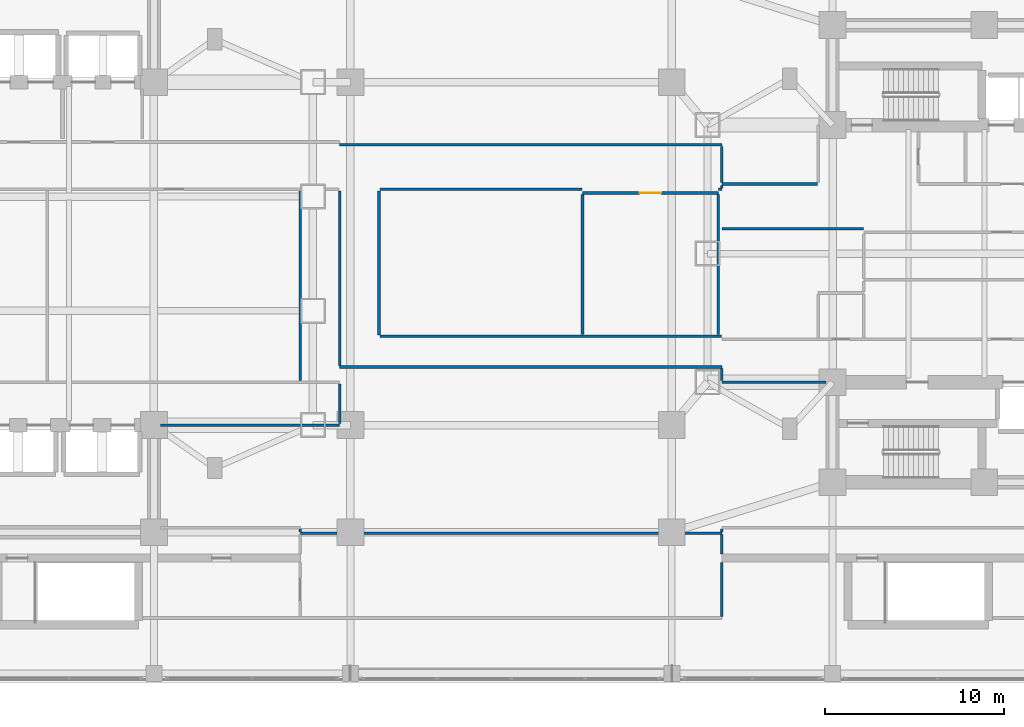
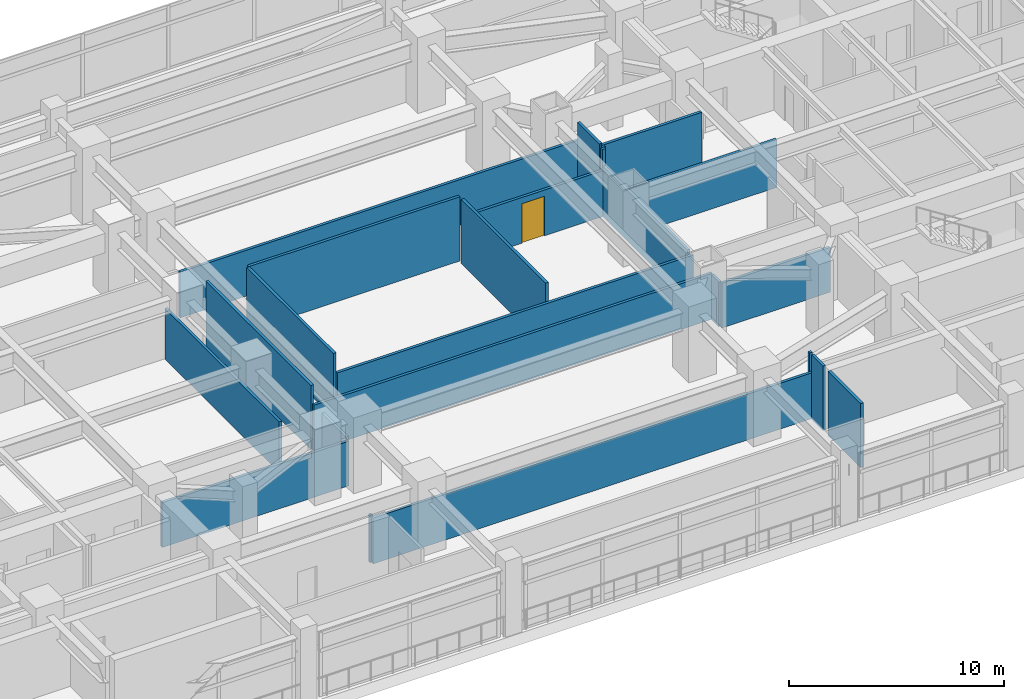
# One storey, part 16 of 27: 24 walls, 1 door, 1 opening.
"""IFC4 building model written with IfcOpenShell, lengths in metres."""

import ifcopenshell
import ifcopenshell.guid

model = None  # the IFC model being written
_history = None  # IfcOwnerHistory: only IFC2X3 demands one
_inside = {}  # id of a spatial element -> (the spatial element, [elements in it])
_under = {}  # id of a project, library or spatial element -> (it, [spatial elements below it])
_declared = {}  # id of a project -> (the project, [libraries it declares])
_typed = {}  # id of a type object -> (the type object, [elements of that type])
_made_of = {}  # id of a material, layer set ... -> (it, [elements and type objects made of it])


def new_model(schema):
    """Start an empty IFC model of exactly this schema.

    Asked for "IFC4X3", IfcOpenShell would pick the latest addendum, in which some entities
    have other attributes; the version numbers below select the first issue.
    IFC2X3 requires an IfcOwnerHistory on every rooted entity: one is made here for all.
    """
    global model, _history
    if schema == "IFC4X3":
        model = ifcopenshell.file(schema_version=(4, 3, 0, 0))
    else:
        model = ifcopenshell.file(schema=schema)
    _inside.clear()
    _under.clear()
    _declared.clear()
    _typed.clear()
    _made_of.clear()
    _history = None
    if model.schema == "IFC2X3":
        org = make("IfcOrganization", Name="unknown")
        user = make(
            "IfcPersonAndOrganization",
            ThePerson=make("IfcPerson", FamilyName="unknown"),
            TheOrganization=org,
        )
        app = make(
            "IfcApplication",
            ApplicationDeveloper=org,
            Version="unknown",
            ApplicationFullName="unknown",
            ApplicationIdentifier="unknown",
        )
        _history = make(
            "IfcOwnerHistory",
            OwningUser=user,
            OwningApplication=app,
            ChangeAction="ADDED",
            CreationDate=0,
        )
    return model


def make(cls, **values):
    """One entity of the class cls with the attributes given. An attribute that is None is left unset."""
    return model.create_entity(
        cls, **{name: value for name, value in values.items() if value is not None}
    )


def rooted(cls, **values):
    """An entity with a GlobalId (a new one), such as an element, a storey or a relation."""
    return make(cls, GlobalId=ifcopenshell.guid.new(), OwnerHistory=_history, **values)


def si_unit(unit_type, name, prefix=None):
    """IfcSIUnit, for example si_unit("LENGTHUNIT", "METRE", prefix="MILLI")."""
    return make("IfcSIUnit", UnitType=unit_type, Prefix=prefix, Name=name)


def assignment(units):
    """IfcUnitAssignment: the units of a project."""
    return None if units is None else make("IfcUnitAssignment", Units=units)


def point(xyz):
    """IfcCartesianPoint."""
    return None if xyz is None else make("IfcCartesianPoint", Coordinates=xyz)


def direction(xyz):
    """IfcDirection."""
    return None if xyz is None else make("IfcDirection", DirectionRatios=xyz)


def frame(location, z_axis=None, x_axis=None):
    """IfcAxis2Placement3D, a coordinate frame: its origin and axes. An axis left out is left unset."""
    return make(
        "IfcAxis2Placement3D",
        Location=point(location),
        Axis=direction(z_axis),
        RefDirection=direction(x_axis),
    )


def frame_2d(location, x_axis=None):
    """IfcAxis2Placement2D, a coordinate frame in the plane: its origin and x axis."""
    return make(
        "IfcAxis2Placement2D", Location=point(location), RefDirection=direction(x_axis)
    )


def origin():
    """The frame at (0, 0, 0) with its axes left unset."""
    return frame((0.0, 0.0, 0.0))


def place(relative_to, where):
    """IfcLocalPlacement: puts the frame where relative to a parent placement (None: the world)."""
    return make(
        "IfcLocalPlacement", PlacementRelTo=relative_to, RelativePlacement=where
    )


def context(
    kind, dimensions, precision=None, world=None, true_north=None, identifier=None
):
    """IfcGeometricRepresentationContext, for example the 3D "Model" context."""
    return make(
        "IfcGeometricRepresentationContext",
        ContextIdentifier=identifier,
        ContextType=kind,
        CoordinateSpaceDimension=dimensions,
        Precision=precision,
        WorldCoordinateSystem=world,
        TrueNorth=true_north,
    )


def subcontext(parent, identifier, kind, view, scale=None):
    """IfcGeometricRepresentationSubContext, for example "Body" below "Model"."""
    return make(
        "IfcGeometricRepresentationSubContext",
        ContextIdentifier=identifier,
        ContextType=kind,
        ParentContext=parent,
        TargetScale=scale,
        TargetView=view,
    )


def project(units=None, contexts=None):
    """IfcProject with its units and contexts."""
    return rooted(
        "IfcProject",
        Name="project",
        RepresentationContexts=contexts,
        UnitsInContext=assignment(units),
    )


def spatial(cls, under=None, at=None, **own):
    """A site, building, storey or space (cls), placed at a placement, below another one or the project."""
    s = rooted(cls, ObjectPlacement=at, **own)
    if under is not None:
        _under.setdefault(under.id(), (under, []))[1].append(s)
    return s


def profile(cls, at=None, kind="AREA", **sizes):
    """A parametric profile (cls). Its sizes go by their IFC names, for example OverallWidth=200.0."""
    return make(cls, ProfileType=kind, Position=at, **sizes)


def rectangle(**sizes):
    """IfcRectangleProfileDef."""
    return profile("IfcRectangleProfileDef", **sizes)


def extrude(swept, where, along, depth):
    """IfcExtrudedAreaSolid: the profile swept, set in the frame where, extruded along a direction by depth."""
    return make(
        "IfcExtrudedAreaSolid",
        SweptArea=swept,
        Position=where,
        ExtrudedDirection=direction(along),
        Depth=depth,
    )


def shape(context_of_items, identifier, shape_type, items):
    """IfcShapeRepresentation: the items that make up one representation, for example the "Body"."""
    return make(
        "IfcShapeRepresentation",
        ContextOfItems=context_of_items,
        RepresentationIdentifier=identifier,
        RepresentationType=shape_type,
        Items=items,
    )


def material(Name=None, Category=None):
    """IfcMaterial."""
    return make("IfcMaterial", Name=Name, Category=Category)


def layer(
    of_material, thickness, ventilated=None, Name=None, Category=None, Priority=None
):
    """IfcMaterialLayer: one layer of a wall or slab, of a material (None: an air gap)."""
    return make(
        "IfcMaterialLayer",
        Material=of_material,
        LayerThickness=thickness,
        IsVentilated=ventilated,
        Name=Name,
        Category=Category,
        Priority=Priority,
    )


def layer_set(layers, Name=None):
    """IfcMaterialLayerSet."""
    return make("IfcMaterialLayerSet", MaterialLayers=layers, LayerSetName=Name)


def made_of(thing, what):
    """Note that an element or type object is made of a material, layer set ...; save() writes the relation."""
    if what is not None:
        _made_of.setdefault(what.id(), (what, []))[1].append(thing)
    return thing


def type_object(cls, material=None, **own):
    """A type object (cls), such as IfcWallType, which elements share."""
    return made_of(rooted(cls, **own), material)


def element(
    cls,
    number,
    at=None,
    inside=None,
    cuts=None,
    type_object=None,
    material=None,
    context=None,
    identifier="Body",
    shape_type=None,
    held_by="IfcProductDefinitionShape",
    body=None,
    shapes=None,
    **own,
):
    """One element of the class cls, such as IfcWall. Its Tag is "e" and its number.

    at: its placement. inside: the storey or other place that contains it. cuts: it is an
    opening in that element (IfcRelVoidsElement). A single representation is given by context,
    identifier, shape_type and body (its items); several are given by shapes. held_by: the class
    of the entity that holds the representations. save() writes the other relations.
    """
    e = rooted(cls, Tag="e%d" % number, ObjectPlacement=at, **own)
    if body is not None:
        shapes = [shape(context, identifier, shape_type, body)]
    if shapes is not None:
        e.Representation = make(held_by, Representations=shapes)
    if inside is not None:
        _inside.setdefault(inside.id(), (inside, []))[1].append(e)
    if cuts is not None:
        rooted(
            "IfcRelVoidsElement", RelatingBuildingElement=cuts, RelatedOpeningElement=e
        )
    if type_object is not None:
        _typed.setdefault(type_object.id(), (type_object, []))[1].append(e)
    return made_of(e, material)


def fill(opening, filler):
    """IfcRelFillsElement: the door or window that sits in an opening."""
    return rooted(
        "IfcRelFillsElement",
        RelatingOpeningElement=opening,
        RelatedBuildingElement=filler,
    )


def aggregate(whole, parts):
    """IfcRelAggregates: a whole, such as a stair, and the parts it consists of."""
    return rooted("IfcRelAggregates", RelatingObject=whole, RelatedObjects=parts)


def save(model, path):
    """Write the relations noted so far, then the file.

    IfcRelAggregates (storeys below a building ...), IfcRelContainedInSpatialStructure (elements
    in a storey), IfcRelDefinesByType, IfcRelAssociatesMaterial and IfcRelDeclares: one each for
    every whole, place, type object, material and project.
    """
    for whole, parts in _under.values():
        aggregate(whole, parts)
    for where, things in _inside.values():
        rooted(
            "IfcRelContainedInSpatialStructure",
            RelatedElements=things,
            RelatingStructure=where,
        )
    for kind, things in _typed.values():
        rooted("IfcRelDefinesByType", RelatedObjects=things, RelatingType=kind)
    for what, things in _made_of.values():
        rooted("IfcRelAssociatesMaterial", RelatedObjects=things, RelatingMaterial=what)
    for by, libraries in _declared.values():
        rooted("IfcRelDeclares", RelatingContext=by, RelatedDefinitions=libraries)
    model.write(path)


model = new_model("IFC4")

# Units and contexts
model_context = context("Model", 3, precision=1e-05, world=origin(), true_north=direction((0.0, 1.0)))
body_context = subcontext(model_context, "Body", "Model", "MODEL_VIEW")
ifc_project = project(units=[si_unit("LENGTHUNIT", "METRE"), si_unit("AREAUNIT", "SQUARE_METRE"), si_unit("VOLUMEUNIT", "CUBIC_METRE"), si_unit("PLANEANGLEUNIT", "RADIAN"), si_unit("MASSUNIT", "GRAM", prefix="KILO")], contexts=[model_context])

# Site, building, storey
site_placement = place(None, origin())
site = spatial("IfcSite", under=ifc_project, at=site_placement, CompositionType="ELEMENT")
building_placement = place(site_placement, origin())
building = spatial("IfcBuilding", under=site, at=building_placement, Name="Mirazonda Arch Towers", CompositionType="ELEMENT")
storey_placement = place(building_placement, frame((0.0, 0.0, 18.10009765625)))
storey = spatial("IfcBuildingStorey", under=building, at=storey_placement, Name="L04", CompositionType="ELEMENT", Elevation=18.10009765625)

# Walls
ifc_material_1 = material(Name="Fire-Rated Gypsum Stud Partition")
ifc_layer = layer(ifc_material_1, 0.14990234375, Name="WALL-PART-CORR-150")
ifc_layer_set = layer_set([ifc_layer], Name="Fire-Rated Gypsum Stud Partition")
wall_type = type_object("IfcWallType", Name="WALL-PART-CORR-150", PredefinedType="PARTITIONING", material=ifc_layer_set)
wall_1_placement = place(storey_placement, frame((38.199951171875, 12.35009765625, 0.0), z_axis=(0.0, 0.0, 1.0), x_axis=(1.0, 0.0, 0.0)))
element("IfcWall", 1, at=wall_1_placement, inside=storey, type_object=wall_type, Name="L04 Interior Partition 009", PredefinedType="PARTITIONING", context=body_context, shape_type="SweptSolid", body=[
    extrude(rectangle(XDim=23.60009765625, YDim=0.14990234375, at=frame_2d((11.800048828125, 0.0))), origin(), (0.0, 0.0, 1.0), 2.601806640625),
])
wall_2_placement = place(storey_placement, frame((30.3701171875, 18.39990234375, 0.0), z_axis=(0.0, 0.0, 1.0), x_axis=(1.0, 0.0, 0.0)))
element("IfcWall", 2, at=wall_2_placement, inside=storey, type_object=wall_type, Name="L04 Interior Partition 019", PredefinedType="PARTITIONING", context=body_context, shape_type="SweptSolid", body=[
    extrude(rectangle(XDim=10.02978515625, YDim=0.14990234375, at=frame_2d((5.014892578125, 0.0))), origin(), (0.0, 0.0, 1.0), 2.5419921875),
])
wall_3_placement = place(storey_placement, frame((61.800048828125, 20.800048828125, 0.0), z_axis=(0.0, 0.0, 1.0), x_axis=(1.0, 0.0, 0.0)))
element("IfcWall", 3, at=wall_3_placement, inside=storey, type_object=wall_type, Name="L04 Interior Partition 022", PredefinedType="PARTITIONING", context=body_context, shape_type="SweptSolid", body=[
    extrude(rectangle(XDim=5.829833984375, YDim=0.14990234375, at=frame_2d((2.9150390625, 0.0))), origin(), (0.0, 0.0, 1.0), 2.5419921875),
])
wall_4_placement = place(storey_placement, frame((40.39990234375, 21.64990234375, 0.0), z_axis=(0.0, 0.0, 1.0), x_axis=(1.0, 0.0, 0.0)))
element("IfcWall", 4, at=wall_4_placement, inside=storey, type_object=wall_type, Name="L04 Interior Partition 024", PredefinedType="PARTITIONING", context=body_context, shape_type="SweptSolid", body=[
    extrude(rectangle(XDim=21.400146484375, YDim=0.14990234375, at=frame_2d((10.7001953125, 0.0))), origin(), (0.0, 0.0, 1.0), 2.601806640625),
])
wall_5_placement = place(storey_placement, frame((42.64990234375, 23.375, 0.0), z_axis=(0.0, 0.0, 1.0), x_axis=(1.0, 0.0, 0.0)))
element("IfcWall", 5, at=wall_5_placement, inside=storey, type_object=wall_type, Name="L04 Interior Partition 026", PredefinedType="PARTITIONING", context=body_context, shape_type="SweptSolid", body=[
    extrude(rectangle(XDim=19.130126953125, YDim=0.14990234375, at=frame_2d((9.56494140625, 0.0))), origin(), (0.0, 0.0, 1.0), 2.601806640625),
])
wall_6_placement = place(storey_placement, frame((61.800048828125, 29.39990234375, 0.0), z_axis=(0.0, 0.0, 1.0), x_axis=(1.0, 0.0, 0.0)))
element("IfcWall", 6, at=wall_6_placement, inside=storey, type_object=wall_type, Name="L04 Interior Partition 031", PredefinedType="PARTITIONING", context=body_context, shape_type="SweptSolid", body=[
    extrude(rectangle(XDim=7.929931640625, YDim=0.14990234375, at=frame_2d((3.96484375, 0.0))), origin(), (0.0, 0.0, 1.0), 2.71484375),
])

# Wall, opening, door
wall_7_placement = place(storey_placement, frame((54.0, 31.39990234375, 0.0), z_axis=(0.0, 0.0, 1.0), x_axis=(1.0, 0.0, 0.0)))
wall_7 = element("IfcWall", 7, at=wall_7_placement, inside=storey, type_object=wall_type, Name="L04 Interior Partition 033", PredefinedType="PARTITIONING", context=body_context, shape_type="SweptSolid", body=[
    extrude(rectangle(XDim=7.60009765625, YDim=0.14990234375, at=frame_2d((3.800048828125, 0.0))), origin(), (0.0, 0.0, 1.0), 2.601806640625),
])
opening_placement = place(wall_7_placement, frame((3.199951171875, 0.0, 0.0)))
opening = element("IfcOpeningElement", 8, at=opening_placement, cuts=wall_7, Name="Opening DR-117", PredefinedType="OPENING", context=body_context, shape_type="SweptSolid", body=[
    extrude(rectangle(XDim=1.199951171875, YDim=2.25, at=frame_2d((0.60009765625, 1.125))), frame((0.0, 0.0849609375, 0.0), z_axis=(0.0, -1.0, 0.0), x_axis=(1.0, 0.0, 0.0)), (0.0, 0.0, 1.0), 0.169921875),
])
ifc_material_2 = material(Name="Architectural Brushed Steel S355", Category="steel")
door_type = type_object("IfcDoorType", Name="DOOR-FFL-FD90-1200", OperationType="NOTDEFINED", PredefinedType="DOOR", material=ifc_material_2)
door_placement = place(opening_placement, origin())
door = element("IfcDoor", 9, at=door_placement, inside=storey, type_object=door_type, Name="L04 L04 Arch-Crown East Hall Door", OperationType="SINGLE_SWING_LEFT", OverallHeight=2.25, OverallWidth=1.199951171875, PredefinedType="DOOR", context=body_context, shape_type="SweptSolid", body=[
    extrude(rectangle(XDim=1.199951171875, YDim=2.25, at=frame_2d((0.60009765625, 1.125))), frame((0.0, 0.02490234375, 0.0), z_axis=(0.0, -1.0, 0.0), x_axis=(1.0, 0.0, 0.0)), (0.0, 0.0, 1.0), 0.050048828125),
])
fill(opening, door)

# Walls
wall_8_placement = place(storey_placement, frame((42.64990234375, 31.60009765625, 0.0), z_axis=(0.0, 0.0, 1.0), x_axis=(1.0, 0.0, 0.0)))
element("IfcWall", 10, at=wall_8_placement, inside=storey, type_object=wall_type, Name="L04 Interior Partition 035", PredefinedType="PARTITIONING", context=body_context, shape_type="SweptSolid", body=[
    extrude(rectangle(XDim=11.330078125, YDim=0.14990234375, at=frame_2d((5.6650390625, 0.0))), origin(), (0.0, 0.0, 1.0), 3.64990234375),
])
wall_9_placement = place(storey_placement, frame((61.6201171875, 31.60009765625, 0.0), z_axis=(0.0, 0.0, 1.0), x_axis=(1.0, 0.0, 0.0)))
element("IfcWall", 11, at=wall_9_placement, inside=storey, type_object=wall_type, Name="L04 Interior Partition 036", PredefinedType="PARTITIONING", context=body_context, shape_type="SweptSolid", body=[
    extrude(rectangle(XDim=0.179931640625, YDim=0.14990234375, at=frame_2d((0.08984375, 0.0))), origin(), (0.0, 0.0, 1.0), 3.64990234375),
])
wall_10_placement = place(storey_placement, frame((61.800048828125, 31.89990234375, 0.0), z_axis=(0.0, 0.0, 1.0), x_axis=(1.0, 0.0, 0.0)))
element("IfcWall", 12, at=wall_10_placement, inside=storey, type_object=wall_type, Name="L04 Interior Partition 037", PredefinedType="PARTITIONING", context=body_context, shape_type="SweptSolid", body=[
    extrude(rectangle(XDim=5.349853515625, YDim=0.14990234375, at=frame_2d((2.6748046875, 0.0))), origin(), (0.0, 0.0, 1.0), 3.64990234375),
])
wall_11_placement = place(storey_placement, frame((40.39990234375, 34.10009765625, 0.0), z_axis=(0.0, 0.0, 1.0), x_axis=(1.0, 0.0, 0.0)))
element("IfcWall", 13, at=wall_11_placement, inside=storey, type_object=wall_type, Name="L04 Interior Partition 039", PredefinedType="PARTITIONING", context=body_context, shape_type="SweptSolid", body=[
    extrude(rectangle(XDim=21.400146484375, YDim=0.14990234375, at=frame_2d((10.7001953125, 0.0))), origin(), (0.0, 0.0, 1.0), 2.601806640625),
])
wall_12_placement = place(storey_placement, frame((38.199951171875, 12.425048828125, 0.0), z_axis=(0.0, 0.0, 1.0), x_axis=(0.0, 1.0, 0.0)))
element("IfcWall", 14, at=wall_12_placement, inside=storey, type_object=wall_type, Name="L04 Interior Partition 078", PredefinedType="PARTITIONING", context=body_context, shape_type="SweptSolid", body=[
    extrude(rectangle(XDim=0.14990234375, YDim=0.14990234375, at=frame_2d((0.074951171875, 0.0))), origin(), (0.0, 0.0, 1.0), 2.69384765625),
])
wall_13_placement = place(storey_placement, frame((38.199951171875, 20.885009765625, 0.0), z_axis=(0.0, 0.0, 1.0), x_axis=(0.0, 1.0, 0.0)))
element("IfcWall", 15, at=wall_13_placement, inside=storey, type_object=wall_type, Name="L04 Interior Partition 079", PredefinedType="PARTITIONING", context=body_context, shape_type="SweptSolid", body=[
    extrude(rectangle(XDim=10.6298828125, YDim=0.14990234375, at=frame_2d((5.31494140625, 0.0))), origin(), (0.0, 0.0, 1.0), 2.868896484375),
])
wall_14_placement = place(storey_placement, frame((40.39990234375, 18.485107421875, 0.0), z_axis=(0.0, 0.0, 1.0), x_axis=(0.0, 1.0, 0.0)))
element("IfcWall", 16, at=wall_14_placement, inside=storey, type_object=wall_type, Name="L04 Interior Partition 080", PredefinedType="PARTITIONING", context=body_context, shape_type="SweptSolid", body=[
    extrude(rectangle(XDim=2.22998046875, YDim=0.14990234375, at=frame_2d((1.114990234375, 0.0))), origin(), (0.0, 0.0, 1.0), 2.69384765625),
])
wall_15_placement = place(storey_placement, frame((40.39990234375, 21.735107421875, 0.0), z_axis=(0.0, 0.0, 1.0), x_axis=(0.0, 1.0, 0.0)))
element("IfcWall", 17, at=wall_15_placement, inside=storey, type_object=wall_type, Name="L04 Interior Partition 081", PredefinedType="PARTITIONING", context=body_context, shape_type="SweptSolid", body=[
    extrude(rectangle(XDim=9.77978515625, YDim=0.14990234375, at=frame_2d((4.889892578125, 0.0))), origin(), (0.0, 0.0, 1.0), 3.64990234375),
])
wall_16_placement = place(storey_placement, frame((42.60009765625, 23.4599609375, 0.0), z_axis=(0.0, 0.0, 1.0), x_axis=(0.0, 1.0, 0.0)))
element("IfcWall", 18, at=wall_16_placement, inside=storey, type_object=wall_type, Name="L04 Interior Partition 082", PredefinedType="PARTITIONING", context=body_context, shape_type="SweptSolid", body=[
    extrude(rectangle(XDim=8.054931640625, YDim=0.14990234375, at=frame_2d((4.02734375, 0.0))), origin(), (0.0, 0.0, 1.0), 3.64990234375),
])
wall_17_placement = place(storey_placement, frame((54.0, 23.4599609375, 0.0), z_axis=(0.0, 0.0, 1.0), x_axis=(0.0, 1.0, 0.0)))
element("IfcWall", 19, at=wall_17_placement, inside=storey, type_object=wall_type, Name="L04 Interior Partition 083", PredefinedType="PARTITIONING", context=body_context, shape_type="SweptSolid", body=[
    extrude(rectangle(XDim=7.85498046875, YDim=0.14990234375, at=frame_2d((3.927490234375, 0.0))), origin(), (0.0, 0.0, 1.0), 3.64990234375),
])
wall_18_placement = place(storey_placement, frame((61.60009765625, 23.4599609375, 0.0), z_axis=(0.0, 0.0, 1.0), x_axis=(0.0, 1.0, 0.0)))
element("IfcWall", 20, at=wall_18_placement, inside=storey, type_object=wall_type, Name="L04 Interior Partition 084", PredefinedType="PARTITIONING", context=body_context, shape_type="SweptSolid", body=[
    extrude(rectangle(XDim=7.85498046875, YDim=0.14990234375, at=frame_2d((3.927490234375, 0.0))), origin(), (0.0, 0.0, 1.0), 2.868896484375),
])
wall_19_placement = place(storey_placement, frame((61.800048828125, 7.68505859375, 0.0), z_axis=(0.0, 0.0, 1.0), x_axis=(0.0, 1.0, 0.0)))
element("IfcWall", 21, at=wall_19_placement, inside=storey, type_object=wall_type, Name="L04 Interior Partition 085", PredefinedType="PARTITIONING", context=body_context, shape_type="SweptSolid", body=[
    extrude(rectangle(XDim=3.030029296875, YDim=0.14990234375, at=frame_2d((1.51513671875, 0.0))), origin(), (0.0, 0.0, 1.0), 3.64990234375),
])
wall_20_placement = place(storey_placement, frame((61.800048828125, 11.18505859375, 0.0), z_axis=(0.0, 0.0, 1.0), x_axis=(0.0, 1.0, 0.0)))
element("IfcWall", 22, at=wall_20_placement, inside=storey, type_object=wall_type, Name="L04 Interior Partition 086", PredefinedType="PARTITIONING", context=body_context, shape_type="SweptSolid", body=[
    extrude(rectangle(XDim=1.079833984375, YDim=0.14990234375, at=frame_2d((0.5400390625, 0.0))), origin(), (0.0, 0.0, 1.0), 3.64990234375),
])
wall_21_placement = place(storey_placement, frame((61.800048828125, 12.425048828125, 0.0), z_axis=(0.0, 0.0, 1.0), x_axis=(0.0, 1.0, 0.0)))
element("IfcWall", 23, at=wall_21_placement, inside=storey, type_object=wall_type, Name="L04 Interior Partition 087", PredefinedType="PARTITIONING", context=body_context, shape_type="SweptSolid", body=[
    extrude(rectangle(XDim=0.14990234375, YDim=0.14990234375, at=frame_2d((0.074951171875, 0.0))), origin(), (0.0, 0.0, 1.0), 3.64990234375),
])
wall_22_placement = place(storey_placement, frame((61.800048828125, 20.885009765625, 0.0), z_axis=(0.0, 0.0, 1.0), x_axis=(0.0, 1.0, 0.0)))
element("IfcWall", 24, at=wall_22_placement, inside=storey, type_object=wall_type, Name="L04 Interior Partition 088", PredefinedType="PARTITIONING", context=body_context, shape_type="SweptSolid", body=[
    extrude(rectangle(XDim=0.679931640625, YDim=0.14990234375, at=frame_2d((0.33984375, 0.0))), origin(), (0.0, 0.0, 1.0), 2.5419921875),
])
wall_23_placement = place(storey_placement, frame((61.800048828125, 31.675048828125, 0.0), z_axis=(0.0, 0.0, 1.0), x_axis=(0.0, 1.0, 0.0)))
element("IfcWall", 25, at=wall_23_placement, inside=storey, type_object=wall_type, Name="L04 Interior Partition 089", PredefinedType="PARTITIONING", context=body_context, shape_type="SweptSolid", body=[
    extrude(rectangle(XDim=0.14990234375, YDim=0.14990234375, at=frame_2d((0.074951171875, 0.0))), origin(), (0.0, 0.0, 1.0), 3.64990234375),
])
wall_24_placement = place(storey_placement, frame((61.800048828125, 31.985107421875, 0.0), z_axis=(0.0, 0.0, 1.0), x_axis=(0.0, 1.0, 0.0)))
element("IfcWall", 26, at=wall_24_placement, inside=storey, type_object=wall_type, Name="L04 Interior Partition 090", PredefinedType="PARTITIONING", context=body_context, shape_type="SweptSolid", body=[
    extrude(rectangle(XDim=2.02978515625, YDim=0.14990234375, at=frame_2d((1.014892578125, 0.0))), origin(), (0.0, 0.0, 1.0), 3.64990234375),
])

save(model, "model.ifc")
